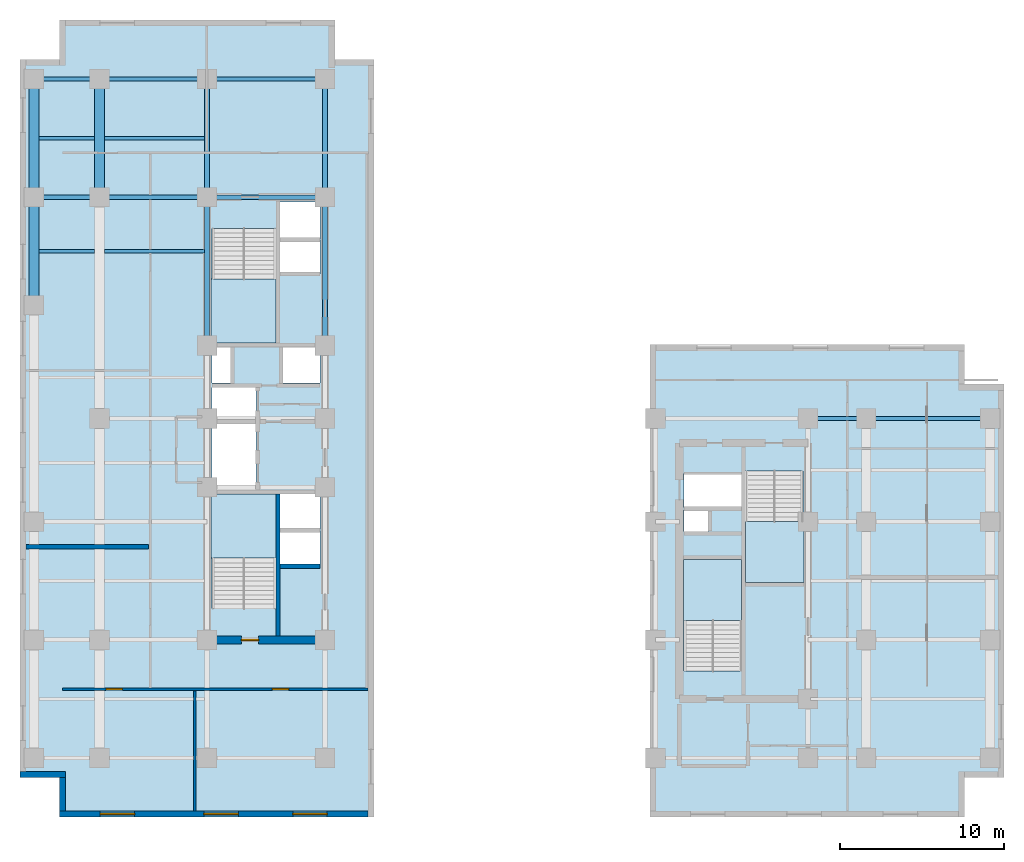
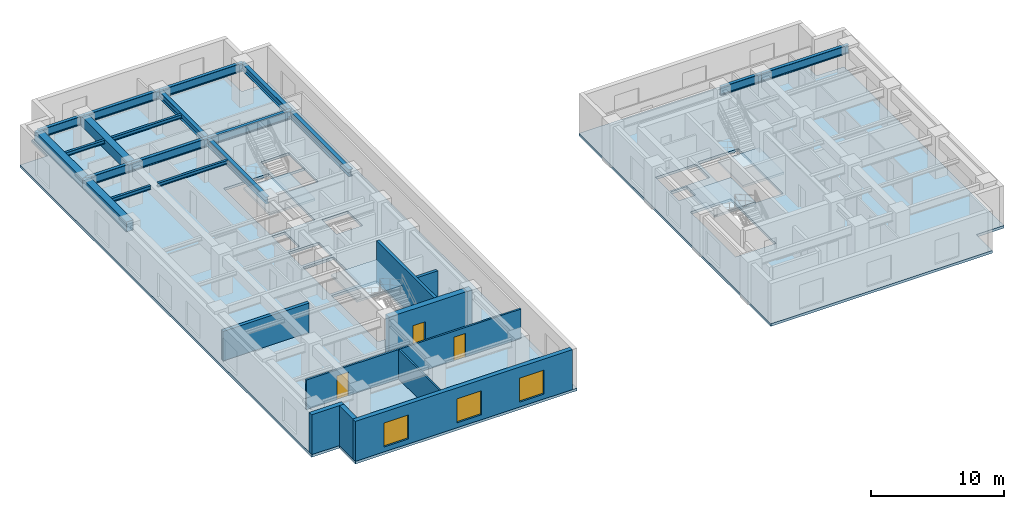
# One storey, part 2 of 8: 19 beams, 9 walls, 6 slabs, 3 doors, 3 windows, 6 openings, 4 elements without a shape of their own.
"""IFC4 building model written with IfcOpenShell, lengths in metres."""

from ifc_helpers import new_model, entity, si_unit, converted_unit, direction, frame, origin_with_axes, origin_2d_with_axis, place, context, subcontext, project, spatial, polyline, rectangle, i_section, outline, extrude, material, layer, layer_set, material_profile, profile_set, type_object, element, fill, aggregate, save


model = new_model("IFC4")

# Units and contexts
model_context = context("Model", 3, precision=1e-05, world=origin_with_axes(), true_north=direction((0.0, 1.0)))
body_context = subcontext(model_context, "Body", "Model", "MODEL_VIEW")
ifc_project = project(units=[si_unit("LENGTHUNIT", "METRE"), si_unit("AREAUNIT", "SQUARE_METRE"), si_unit("VOLUMEUNIT", "CUBIC_METRE"), converted_unit("PLANEANGLEUNIT", "DEGREE", entity("IfcPlaneAngleMeasure", 0.017453292519943295), si_unit("PLANEANGLEUNIT", "RADIAN"), dimensions=[0, 0, 0, 0, 0, 0, 0]), si_unit("MASSUNIT", "GRAM", prefix="KILO"), si_unit("THERMODYNAMICTEMPERATUREUNIT", "KELVIN")], contexts=[model_context])

# Site, building, storey
site_placement = place(None, origin_with_axes())
site = spatial("IfcSite", under=ifc_project, at=site_placement, CompositionType="ELEMENT")
building_placement = place(site_placement, origin_with_axes())
building = spatial("IfcBuilding", under=site, at=building_placement, Name="Varnlund Millrace Tower", CompositionType="ELEMENT")
storey_placement = place(building_placement, frame((0.0, 0.0, 89.1), z_axis=(0.0, 0.0, 1.0), x_axis=(1.0, 0.0, 0.0)))
storey = spatial("IfcBuildingStorey", under=building, at=storey_placement, Name="L21", CompositionType="ELEMENT", Elevation=89.1)

# Beams
ifc_material_1 = material(Name="Steel ASTM A992 Grade 50", Category="steel")
ifc_material_profile_1 = material_profile(ifc_material_1, i_section(OverallWidth=0.328, OverallDepth=0.628, WebThickness=0.0165, FlangeThickness=0.0277, FilletRadius=0.018, at=origin_2d_with_axis()), Name="Steel ASTM A992 Grade 50")
ifc_profile_set_1 = profile_set([ifc_material_profile_1], Name="Steel ASTM A992 Grade 50")
beam_type_1 = type_object("IfcBeamType", Name="Type-Girder-W24X146", PredefinedType="USERDEFINED", material=ifc_profile_set_1)
beam_1_placement = place(storey_placement, frame((11.4, 28.75, 3.346), z_axis=(0.0, 1.0, 0.0), x_axis=(-1.0, 0.0, 0.0)))
element("IfcBeam", 1, at=beam_1_placement, inside=storey, type_object=beam_type_1, Name="Type-Girder-W24X146", ObjectType="GIRDER", PredefinedType="USERDEFINED", context=body_context, shape_type="SweptSolid", body=[
    extrude(i_section(OverallWidth=0.328, OverallDepth=0.628, WebThickness=0.0165, FlangeThickness=0.0277, FilletRadius=0.018, at=origin_2d_with_axis()), origin_with_axes(), (0.0, 0.0, 1.0), 9.05),
])
beam_2_placement = place(storey_placement, frame((11.4, 37.8, 3.346), z_axis=(0.0, 1.0, 0.0), x_axis=(-1.0, 0.0, 0.0)))
element("IfcBeam", 2, at=beam_2_placement, inside=storey, type_object=beam_type_1, Name="Type-Girder-W24X146", ObjectType="GIRDER", PredefinedType="USERDEFINED", context=body_context, shape_type="SweptSolid", body=[
    extrude(i_section(OverallWidth=0.328, OverallDepth=0.628, WebThickness=0.0165, FlangeThickness=0.0277, FilletRadius=0.018, at=origin_2d_with_axis()), origin_with_axes(), (0.0, 0.0, 1.0), 7.2),
])
beam_3_placement = place(storey_placement, frame((18.6, 28.75, 3.346), z_axis=(0.0, 1.0, 0.0), x_axis=(-1.0, 0.0, 0.0)))
element("IfcBeam", 3, at=beam_3_placement, inside=storey, type_object=beam_type_1, Name="Type-Girder-W24X146", ObjectType="GIRDER", PredefinedType="USERDEFINED", context=body_context, shape_type="SweptSolid", body=[
    extrude(i_section(OverallWidth=0.328, OverallDepth=0.628, WebThickness=0.0165, FlangeThickness=0.0277, FilletRadius=0.018, at=origin_2d_with_axis()), origin_with_axes(), (0.0, 0.0, 1.0), 9.05),
])
beam_4_placement = place(storey_placement, frame((18.6, 37.8, 3.346), z_axis=(0.0, 1.0, 0.0), x_axis=(-1.0, 0.0, 0.0)))
element("IfcBeam", 4, at=beam_4_placement, inside=storey, type_object=beam_type_1, Name="Type-Girder-W24X146", ObjectType="GIRDER", PredefinedType="USERDEFINED", context=body_context, shape_type="SweptSolid", body=[
    extrude(i_section(OverallWidth=0.328, OverallDepth=0.628, WebThickness=0.0165, FlangeThickness=0.0277, FilletRadius=0.018, at=origin_2d_with_axis()), origin_with_axes(), (0.0, 0.0, 1.0), 7.2),
])
ifc_material_profile_2 = material_profile(ifc_material_1, i_section(OverallWidth=0.266, OverallDepth=0.779, WebThickness=0.0165, FlangeThickness=0.03, FilletRadius=0.02, at=origin_2d_with_axis()), Name="Steel ASTM A992 Grade 50")
ifc_profile_set_2 = profile_set([ifc_material_profile_2], Name="Steel ASTM A992 Grade 50")
beam_type_2 = type_object("IfcBeamType", Name="Type-Girder-W30X148", PredefinedType="USERDEFINED", material=ifc_profile_set_2)
beam_5_placement = place(storey_placement, frame((48.05, 24.3, 3.2705), z_axis=(1.0, 0.0, 0.0), x_axis=(0.0, 1.0, 0.0)))
element("IfcBeam", 5, at=beam_5_placement, inside=storey, type_object=beam_type_2, Name="Type-Girder-W30X148", ObjectType="GIRDER", PredefinedType="USERDEFINED", context=body_context, shape_type="SweptSolid", body=[
    extrude(i_section(OverallWidth=0.266, OverallDepth=0.779, WebThickness=0.0165, FlangeThickness=0.03, FilletRadius=0.02, at=origin_2d_with_axis()), origin_with_axes(), (0.0, 0.0, 1.0), 3.55),
])
beam_6_placement = place(storey_placement, frame((51.6, 24.3, 3.2705), z_axis=(1.0, 0.0, 0.0), x_axis=(0.0, 1.0, 0.0)))
element("IfcBeam", 6, at=beam_6_placement, inside=storey, type_object=beam_type_2, Name="Type-Girder-W30X148", ObjectType="GIRDER", PredefinedType="USERDEFINED", context=body_context, shape_type="SweptSolid", body=[
    extrude(i_section(OverallWidth=0.266, OverallDepth=0.779, WebThickness=0.0165, FlangeThickness=0.03, FilletRadius=0.02, at=origin_2d_with_axis()), origin_with_axes(), (0.0, 0.0, 1.0), 7.55),
])
beam_7_placement = place(storey_placement, frame((0.85, 37.8, 3.2705), z_axis=(1.0, 0.0, 0.0), x_axis=(0.0, 1.0, 0.0)))
element("IfcBeam", 7, at=beam_7_placement, inside=storey, type_object=beam_type_2, Name="Type-Girder-W30X148", ObjectType="GIRDER", PredefinedType="USERDEFINED", context=body_context, shape_type="SweptSolid", body=[
    extrude(i_section(OverallWidth=0.266, OverallDepth=0.779, WebThickness=0.0165, FlangeThickness=0.03, FilletRadius=0.02, at=origin_2d_with_axis()), origin_with_axes(), (0.0, 0.0, 1.0), 4.0),
])
beam_8_placement = place(storey_placement, frame((4.85, 37.8, 3.2705), z_axis=(1.0, 0.0, 0.0), x_axis=(0.0, 1.0, 0.0)))
element("IfcBeam", 8, at=beam_8_placement, inside=storey, type_object=beam_type_2, Name="Type-Girder-W30X148", ObjectType="GIRDER", PredefinedType="USERDEFINED", context=body_context, shape_type="SweptSolid", body=[
    extrude(i_section(OverallWidth=0.266, OverallDepth=0.779, WebThickness=0.0165, FlangeThickness=0.03, FilletRadius=0.02, at=origin_2d_with_axis()), origin_with_axes(), (0.0, 0.0, 1.0), 6.55),
])
beam_9_placement = place(storey_placement, frame((11.4, 37.8, 3.2705), z_axis=(1.0, 0.0, 0.0), x_axis=(0.0, 1.0, 0.0)))
element("IfcBeam", 9, at=beam_9_placement, inside=storey, type_object=beam_type_2, Name="Type-Girder-W30X148", ObjectType="GIRDER", PredefinedType="USERDEFINED", context=body_context, shape_type="SweptSolid", body=[
    extrude(i_section(OverallWidth=0.266, OverallDepth=0.779, WebThickness=0.0165, FlangeThickness=0.03, FilletRadius=0.02, at=origin_2d_with_axis()), origin_with_axes(), (0.0, 0.0, 1.0), 7.2),
])
beam_10_placement = place(storey_placement, frame((0.85, 45.0, 3.2705), z_axis=(1.0, 0.0, 0.0), x_axis=(0.0, 1.0, 0.0)))
element("IfcBeam", 10, at=beam_10_placement, inside=storey, type_object=beam_type_2, Name="Type-Girder-W30X148", ObjectType="GIRDER", PredefinedType="USERDEFINED", context=body_context, shape_type="SweptSolid", body=[
    extrude(i_section(OverallWidth=0.266, OverallDepth=0.779, WebThickness=0.0165, FlangeThickness=0.03, FilletRadius=0.02, at=origin_2d_with_axis()), origin_with_axes(), (0.0, 0.0, 1.0), 4.0),
])
beam_11_placement = place(storey_placement, frame((4.85, 45.0, 3.2705), z_axis=(1.0, 0.0, 0.0), x_axis=(0.0, 1.0, 0.0)))
element("IfcBeam", 11, at=beam_11_placement, inside=storey, type_object=beam_type_2, Name="Type-Girder-W30X148", ObjectType="GIRDER", PredefinedType="USERDEFINED", context=body_context, shape_type="SweptSolid", body=[
    extrude(i_section(OverallWidth=0.266, OverallDepth=0.779, WebThickness=0.0165, FlangeThickness=0.03, FilletRadius=0.02, at=origin_2d_with_axis()), origin_with_axes(), (0.0, 0.0, 1.0), 6.55),
])
beam_12_placement = place(storey_placement, frame((11.4, 45.0, 3.2705), z_axis=(1.0, 0.0, 0.0), x_axis=(0.0, 1.0, 0.0)))
element("IfcBeam", 12, at=beam_12_placement, inside=storey, type_object=beam_type_2, Name="Type-Girder-W30X148", ObjectType="GIRDER", PredefinedType="USERDEFINED", context=body_context, shape_type="SweptSolid", body=[
    extrude(i_section(OverallWidth=0.266, OverallDepth=0.779, WebThickness=0.0165, FlangeThickness=0.03, FilletRadius=0.02, at=origin_2d_with_axis()), origin_with_axes(), (0.0, 0.0, 1.0), 7.2),
])
ifc_material_profile_3 = material_profile(ifc_material_1, i_section(OverallWidth=0.204, OverallDepth=0.35, WebThickness=0.0086, FlangeThickness=0.0151, FilletRadius=0.013, at=origin_2d_with_axis()), Name="Steel ASTM A992 Grade 50")
ifc_profile_set_3 = profile_set([ifc_material_profile_3], Name="Steel ASTM A992 Grade 50")
beam_type_3 = type_object("IfcBeamType", Name="Type-Joist-W14X48", PredefinedType="JOIST", material=ifc_profile_set_3)
for number, where, z_axis, x_axis, name in (
    (13, (1.15, 34.5, 3.485), (1.0, 0.0, 0.0), (0.0, 1.0, 0.0), "Type-Joist-W14X48"),
    (14, (1.15, 41.4, 3.485), (1.0, 0.0, 0.0), (0.0, 1.0, 0.0), "Type-Joist-W14X48"),
):
    element("IfcBeam", number, at=place(storey_placement, frame(where, z_axis=z_axis, x_axis=x_axis)), inside=storey, type_object=beam_type_3, Name=name, PredefinedType="JOIST", context=body_context, shape_type="SweptSolid", body=[
        extrude(i_section(OverallWidth=0.204, OverallDepth=0.35, WebThickness=0.0086, FlangeThickness=0.0151, FilletRadius=0.013, at=origin_2d_with_axis()), origin_with_axes(), (0.0, 0.0, 1.0), 3.4),
    ])
for number, where, z_axis, x_axis, name in (
    (15, (5.15, 34.5, 3.485), (1.0, 0.0, 0.0), (0.0, 1.0, 0.0), "Type-Joist-W14X48"),
    (16, (5.15, 41.4, 3.485), (1.0, 0.0, 0.0), (0.0, 1.0, 0.0), "Type-Joist-W14X48"),
):
    element("IfcBeam", number, at=place(storey_placement, frame(where, z_axis=z_axis, x_axis=x_axis)), inside=storey, type_object=beam_type_3, Name=name, PredefinedType="JOIST", context=body_context, shape_type="SweptSolid", body=[
        extrude(i_section(OverallWidth=0.204, OverallDepth=0.35, WebThickness=0.0086, FlangeThickness=0.0151, FilletRadius=0.013, at=origin_2d_with_axis()), origin_with_axes(), (0.0, 0.0, 1.0), 6.086),
    ])
ifc_material_2 = material(Name="Concrete C70/85", Category="concrete")
ifc_material_profile_4 = material_profile(ifc_material_2, rectangle(XDim=0.6, YDim=0.9, at=origin_2d_with_axis()), Name="Concrete C70/85")
ifc_profile_set_4 = profile_set([ifc_material_profile_4], Name="Concrete C70/85")
beam_type_4 = type_object("IfcBeamType", Name="Type-Spandrel-RC600X900", PredefinedType="SPANDREL", material=ifc_profile_set_4)
beam_13_placement = place(storey_placement, frame((0.85, 31.2, 3.21), z_axis=(0.0, 1.0, 0.0), x_axis=(-1.0, 0.0, 0.0)))
element("IfcBeam", 17, at=beam_13_placement, inside=storey, type_object=beam_type_4, Name="Type-Spandrel-RC600X900", PredefinedType="SPANDREL", context=body_context, shape_type="SweptSolid", body=[
    extrude(rectangle(XDim=0.6, YDim=0.9, at=origin_2d_with_axis()), origin_with_axes(), (0.0, 0.0, 1.0), 6.6),
])
for number, where, z_axis, x_axis, name in (
    (18, (0.85, 37.8, 3.21), (0.0, 1.0, 0.0), (-1.0, 0.0, 0.0), "Type-Spandrel-RC600X900"),
    (19, (4.85, 37.8, 3.21), (0.0, 1.0, 0.0), (-1.0, 0.0, 0.0), "Type-Spandrel-RC600X900"),
):
    element("IfcBeam", number, at=place(storey_placement, frame(where, z_axis=z_axis, x_axis=x_axis)), inside=storey, type_object=beam_type_4, Name=name, PredefinedType="SPANDREL", context=body_context, shape_type="SweptSolid", body=[
        extrude(rectangle(XDim=0.6, YDim=0.9, at=origin_2d_with_axis()), origin_with_axes(), (0.0, 0.0, 1.0), 7.2),
    ])

# Slabs
ifc_material_3 = material(Name="Concrete C60/75", Category="concrete")
ifc_layer_1 = layer(ifc_material_3, 0.24, Name="Concrete C60/75")
ifc_layer_set_1 = layer_set([ifc_layer_1], Name="Concrete C60/75")
slab_type_1 = type_object("IfcSlabType", Name="Type-Deck-Plate-Typical-240", PredefinedType="FLOOR", material=ifc_layer_set_1)
slab_1_placement = place(storey_placement, frame((0.0, 0.0, -0.24), z_axis=(0.0, 0.0, 1.0), x_axis=(1.0, 0.0, 0.0)))
element("IfcSlab", 20, at=slab_1_placement, inside=storey, type_object=slab_type_1, Name="Type-Deck-Plate-Typical-240", PredefinedType="FLOOR", context=body_context, shape_type="SweptSolid", body=[
    extrude(outline(polyline([(2.4, 2.4), (2.4, 0.0), (21.6, 0.0), (21.6, 46.2), (19.2, 46.2), (19.2, 48.6), (2.4, 48.6), (2.4, 46.2), (0.0, 46.2), (0.0, 2.4), (2.4, 2.4)]), holes=[polyline([(15.6, 19.7), (15.6, 12.715), (11.7, 12.715), (11.7, 19.7), (15.6, 19.7)]), polyline([(11.7, 23.98), (14.38, 23.98), (14.38, 19.94), (11.7, 19.94), (11.7, 23.98)]), polyline([(14.38, 24.24), (11.7, 24.24), (11.7, 26.2), (14.38, 26.2), (14.38, 24.24)]), polyline([(12.84, 26.46), (11.7, 26.46), (11.7, 28.65), (12.84, 28.65), (12.84, 26.46)]), polyline([(15.6, 35.885), (15.6, 28.9), (11.7, 28.9), (11.7, 35.885), (15.6, 35.885)]), polyline([(18.3, 15.34), (15.84, 15.34), (15.84, 17.46), (18.3, 17.46), (18.3, 15.34)]), polyline([(18.3, 17.52), (15.84, 17.52), (15.84, 19.7), (18.3, 19.7), (18.3, 17.52)]), polyline([(18.3, 28.65), (18.3, 26.46), (16.04, 26.46), (16.04, 28.65), (18.3, 28.65)]), polyline([(18.3, 33.12), (15.84, 33.12), (15.84, 35.18), (18.3, 35.18), (18.3, 33.12)]), polyline([(18.3, 35.22), (15.84, 35.22), (15.84, 37.5), (18.3, 37.5), (18.3, 35.22)])]), origin_with_axes(), (0.0, 0.0, 1.0), 0.24),
])
slab_2_placement = place(storey_placement, frame((0.0, 0.0, -0.24), z_axis=(0.0, 0.0, 1.0), x_axis=(1.0, 0.0, 0.0)))
element("IfcSlab", 21, at=slab_2_placement, inside=storey, type_object=slab_type_1, Name="Type-Deck-Plate-Typical-240", PredefinedType="FLOOR", context=body_context, shape_type="SweptSolid", body=[
    extrude(outline(polyline([(38.4, 0.0), (57.6, 0.0), (57.6, 2.4), (60.0, 2.4), (60.0, 26.4), (57.6, 26.4), (57.6, 28.8), (38.4, 28.8), (38.4, 0.0)]), holes=[polyline([(40.5, 15.7), (44.0, 15.7), (44.0, 8.915), (40.5, 8.915), (40.5, 15.7)]), polyline([(44.25, 21.085), (47.75, 21.085), (47.75, 14.3), (44.25, 14.3), (44.25, 21.085)]), polyline([(40.5, 18.72), (41.95, 18.72), (41.95, 17.42), (40.5, 17.42), (40.5, 18.72)]), polyline([(40.5, 20.94), (44.0, 20.94), (44.0, 18.88), (40.5, 18.88), (40.5, 20.94)])]), origin_with_axes(), (0.0, 0.0, 1.0), 0.24),
])

# Stair, slab
ifc_material_4 = material(Name="Concrete C50/60", Category="concrete")
stair_type_1 = type_object("IfcStairType", Name="Type-Stair-Dogleg-185-390", PredefinedType="HALF_TURN_STAIR", material=ifc_material_4)
stair_1_placement = place(storey_placement, origin_with_axes())
stair_1 = element("IfcStair", 22, at=stair_1_placement, inside=storey, type_object=stair_type_1, Name="Type-Stair-Dogleg-185-390", PredefinedType="HALF_TURN_STAIR")
ifc_layer_2 = layer(ifc_material_4, 0.2, Name="Concrete C50/60")
ifc_layer_set_2 = layer_set([ifc_layer_2], Name="Concrete C50/60")
slab_type_2 = type_object("IfcSlabType", Name="Type-StairLanding-200", PredefinedType="LANDING", material=ifc_layer_set_2)
slab_3_placement = place(storey_placement, frame((0.0, 0.0, 1.75), z_axis=(0.0, 0.0, 1.0), x_axis=(1.0, 0.0, 0.0)))
slab_3 = element("IfcSlab", 23, at=slab_3_placement, type_object=slab_type_2, Name="ST-A1 landing 1", PredefinedType="LANDING", context=body_context, shape_type="SweptSolid", body=[
    extrude(outline(polyline([(15.6, 15.78), (15.6, 19.7), (11.65, 19.7), (11.65, 15.78), (15.6, 15.78)])), origin_with_axes(), (0.0, 0.0, 1.0), 0.2),
])
aggregate(stair_1, [slab_3])

stair_2_placement = place(storey_placement, origin_with_axes())
stair_2 = element("IfcStair", 24, at=stair_2_placement, inside=storey, type_object=stair_type_1, Name="Type-Stair-Dogleg-185-390", PredefinedType="HALF_TURN_STAIR")
slab_4_placement = place(storey_placement, frame((0.0, 0.0, 1.75), z_axis=(0.0, 0.0, 1.0), x_axis=(1.0, 0.0, 0.0)))
slab_4 = element("IfcSlab", 25, at=slab_4_placement, type_object=slab_type_2, Name="ST-A2 landing 1", PredefinedType="LANDING", context=body_context, shape_type="SweptSolid", body=[
    extrude(outline(polyline([(11.65, 32.82), (11.65, 28.9), (15.6, 28.9), (15.6, 32.82), (11.65, 32.82)])), origin_with_axes(), (0.0, 0.0, 1.0), 0.2),
])
aggregate(stair_2, [slab_4])

stair_type_2 = type_object("IfcStairType", Name="Type-Stair-Dogleg-165-390", PredefinedType="HALF_TURN_STAIR", material=ifc_material_4)
stair_3_placement = place(storey_placement, origin_with_axes())
stair_3 = element("IfcStair", 26, at=stair_3_placement, inside=storey, type_object=stair_type_2, Name="Type-Stair-Dogleg-165-390", PredefinedType="HALF_TURN_STAIR")
slab_5_placement = place(storey_placement, frame((0.0, 0.0, 1.75), z_axis=(0.0, 0.0, 1.0), x_axis=(1.0, 0.0, 0.0)))
slab_5 = element("IfcSlab", 27, at=slab_5_placement, type_object=slab_type_2, Name="ST-B1 landing 1", PredefinedType="LANDING", context=body_context, shape_type="SweptSolid", body=[
    extrude(outline(polyline([(44.0, 11.98), (44.0, 15.7), (40.45, 15.7), (40.45, 11.98), (44.0, 11.98)])), origin_with_axes(), (0.0, 0.0, 1.0), 0.2),
])
aggregate(stair_3, [slab_5])

stair_4_placement = place(storey_placement, origin_with_axes())
stair_4 = element("IfcStair", 28, at=stair_4_placement, inside=storey, type_object=stair_type_2, Name="Type-Stair-Dogleg-165-390", PredefinedType="HALF_TURN_STAIR")
slab_6_placement = place(storey_placement, frame((0.0, 0.0, 1.75), z_axis=(0.0, 0.0, 1.0), x_axis=(1.0, 0.0, 0.0)))
slab_6 = element("IfcSlab", 29, at=slab_6_placement, type_object=slab_type_2, Name="ST-B2 landing 1", PredefinedType="LANDING", context=body_context, shape_type="SweptSolid", body=[
    extrude(outline(polyline([(44.25, 18.02), (44.25, 14.3), (47.8, 14.3), (47.8, 18.02), (44.25, 18.02)])), origin_with_axes(), (0.0, 0.0, 1.0), 0.2),
])
aggregate(stair_4, [slab_6])

# Wall, opening, door
ifc_layer_3 = layer(ifc_material_2, 0.5, Name="Concrete C70/85")
ifc_layer_set_3 = layer_set([ifc_layer_3], Name="Concrete C70/85")
wall_type_1 = type_object("IfcWallType", Name="Type-CoreWall-Shear-500-C70", PredefinedType="SHEAR", material=ifc_layer_set_3)
wall_1_placement = place(storey_placement, frame((11.4, 10.8, 0.0), z_axis=(0.0, 0.0, 1.0), x_axis=(1.0, 0.0, 0.0)))
wall_1 = element("IfcWall", 30, at=wall_1_placement, inside=storey, type_object=wall_type_1, Name="Type-CoreWall-Shear-500-C70", PredefinedType="SHEAR", context=body_context, shape_type="SweptSolid", body=[
    extrude(outline(polyline([(0.0, -0.25), (7.2, -0.25), (7.2, 0.25), (0.0, 0.25), (0.0, -0.25)])), origin_with_axes(), (0.0, 0.0, 1.0), 3.66),
])
opening_1_placement = place(wall_1_placement, frame((2.625, 0.0, 0.0), z_axis=(0.0, 0.0, 1.0), x_axis=(1.0, 0.0, 0.0)))
opening_1 = element("IfcOpeningElement", 31, at=opening_1_placement, cuts=wall_1, Name="Opening L21:DR-STA1", PredefinedType="OPENING", context=body_context, shape_type="SweptSolid", body=[
    extrude(rectangle(XDim=1.05, YDim=0.52, at=origin_2d_with_axis()), origin_with_axes(), (0.0, 0.0, 1.0), 2.15),
])
ifc_material_5 = material(Name="Fire-rated hollow steel door", Category="steel")
door_type_1 = type_object("IfcDoorType", Name="Type-FireDoor-Stair-1050X2150", OperationType="NOTDEFINED", PredefinedType="DOOR", material=ifc_material_5)
door_1_placement = place(wall_1_placement, frame((2.625, 0.0, 0.0), z_axis=(0.0, 0.0, 1.0), x_axis=(1.0, 0.0, 0.0)))
door_1 = element("IfcDoor", 32, at=door_1_placement, inside=storey, type_object=door_type_1, Name="Type-FireDoor-Stair-1050X2150", OperationType="SINGLE_SWING_LEFT", OverallHeight=2.15, OverallWidth=1.05, PredefinedType="DOOR", context=body_context, shape_type="SweptSolid", body=[
    extrude(rectangle(XDim=1.05, YDim=0.09, at=origin_2d_with_axis()), origin_with_axes(), (0.0, 0.0, 1.0), 2.15),
])
fill(opening_1, door_1)

# Wall, openings, windows
ifc_material_6 = material(Name="Precast concrete C50/60", Category="concrete")
ifc_layer_4 = layer(ifc_material_6, 0.38, Name="Precast concrete C50/60")
ifc_layer_set_4 = layer_set([ifc_layer_4], Name="Precast concrete C50/60")
wall_type_2 = type_object("IfcWallType", Name="Type-ExtWall-Precast-Tube-380", PredefinedType="SOLIDWALL", material=ifc_layer_set_4)
wall_2_placement = place(storey_placement, frame((21.22, 0.19, 0.0), z_axis=(0.0, 0.0, 1.0), x_axis=(-1.0, 0.0, 0.0)))
wall_2 = element("IfcWall", 33, at=wall_2_placement, inside=storey, type_object=wall_type_2, Name="Type-ExtWall-Precast-Tube-380", PredefinedType="SOLIDWALL", context=body_context, shape_type="SweptSolid", body=[
    extrude(outline(polyline([(0.0, -0.19), (18.82, -0.19), (18.82, 0.19), (0.0, 0.19), (0.0, -0.19)])), origin_with_axes(), (0.0, 0.0, 1.0), 3.66),
])
opening_2_placement = place(wall_2_placement, frame((3.537, 0.0, 0.45), z_axis=(0.0, 0.0, 1.0), x_axis=(1.0, 0.0, 0.0)))
opening_2 = element("IfcOpeningElement", 34, at=opening_2_placement, cuts=wall_2, Name="Opening L21:WN-12", PredefinedType="OPENING", context=body_context, shape_type="SweptSolid", body=[
    extrude(rectangle(XDim=2.1, YDim=0.4, at=origin_2d_with_axis()), origin_with_axes(), (0.0, 0.0, 1.0), 2.2),
])
opening_3_placement = place(wall_2_placement, frame((8.96, 0.0, 0.45), z_axis=(0.0, 0.0, 1.0), x_axis=(1.0, 0.0, 0.0)))
opening_3 = element("IfcOpeningElement", 35, at=opening_3_placement, cuts=wall_2, Name="Opening L21:WN-13", PredefinedType="OPENING", context=body_context, shape_type="SweptSolid", body=[
    extrude(rectangle(XDim=2.1, YDim=0.4, at=origin_2d_with_axis()), origin_with_axes(), (0.0, 0.0, 1.0), 2.2),
])
opening_4_placement = place(wall_2_placement, frame((15.283, 0.0, 0.45), z_axis=(0.0, 0.0, 1.0), x_axis=(1.0, 0.0, 0.0)))
opening_4 = element("IfcOpeningElement", 36, at=opening_4_placement, cuts=wall_2, Name="Opening L21:WN-14", PredefinedType="OPENING", context=body_context, shape_type="SweptSolid", body=[
    extrude(rectangle(XDim=2.1, YDim=0.4, at=origin_2d_with_axis()), origin_with_axes(), (0.0, 0.0, 1.0), 2.2),
])
ifc_material_7 = material(Name="Argon low-e triple glazing in thermally broken bronze frame", Category="glass")
window_type = type_object("IfcWindowType", Name="Type-Window-Punched-2100X2200", PartitioningType="SINGLE_PANEL", PredefinedType="WINDOW", material=ifc_material_7)
window_1_placement = place(wall_2_placement, frame((3.537, 0.0, 0.45), z_axis=(0.0, 0.0, 1.0), x_axis=(1.0, 0.0, 0.0)))
window_1 = element("IfcWindow", 37, at=window_1_placement, inside=storey, type_object=window_type, Name="Type-Window-Punched-2100X2200", OverallHeight=2.2, OverallWidth=2.1, PredefinedType="WINDOW", context=body_context, shape_type="SweptSolid", body=[
    extrude(rectangle(XDim=2.1, YDim=0.09, at=origin_2d_with_axis()), origin_with_axes(), (0.0, 0.0, 1.0), 2.2),
])
fill(opening_2, window_1)
window_2_placement = place(wall_2_placement, frame((8.96, 0.0, 0.45), z_axis=(0.0, 0.0, 1.0), x_axis=(1.0, 0.0, 0.0)))
window_2 = element("IfcWindow", 38, at=window_2_placement, inside=storey, type_object=window_type, Name="Type-Window-Punched-2100X2200", OverallHeight=2.2, OverallWidth=2.1, PredefinedType="WINDOW", context=body_context, shape_type="SweptSolid", body=[
    extrude(rectangle(XDim=2.1, YDim=0.09, at=origin_2d_with_axis()), origin_with_axes(), (0.0, 0.0, 1.0), 2.2),
])
fill(opening_3, window_2)
window_3_placement = place(wall_2_placement, frame((15.283, 0.0, 0.45), z_axis=(0.0, 0.0, 1.0), x_axis=(1.0, 0.0, 0.0)))
window_3 = element("IfcWindow", 39, at=window_3_placement, inside=storey, type_object=window_type, Name="Type-Window-Punched-2100X2200", OverallHeight=2.2, OverallWidth=2.1, PredefinedType="WINDOW", context=body_context, shape_type="SweptSolid", body=[
    extrude(rectangle(XDim=2.1, YDim=0.09, at=origin_2d_with_axis()), origin_with_axes(), (0.0, 0.0, 1.0), 2.2),
])
fill(opening_4, window_3)

# Walls
wall_3_placement = place(storey_placement, frame((2.59, 0.38, 0.0), z_axis=(0.0, 0.0, 1.0), x_axis=(0.0, 1.0, 0.0)))
element("IfcWall", 40, at=wall_3_placement, inside=storey, type_object=wall_type_2, Name="Type-ExtWall-Precast-Tube-380", PredefinedType="SOLIDWALL", context=body_context, shape_type="SweptSolid", body=[
    extrude(outline(polyline([(0.0, -0.19), (2.02, -0.19), (2.02, 0.19), (0.0, 0.19), (0.0, -0.19)])), origin_with_axes(), (0.0, 0.0, 1.0), 3.66),
])
wall_4_placement = place(storey_placement, frame((2.78, 2.59, 0.0), z_axis=(0.0, 0.0, 1.0), x_axis=(-1.0, 0.0, 0.0)))
element("IfcWall", 41, at=wall_4_placement, inside=storey, type_object=wall_type_2, Name="Type-ExtWall-Precast-Tube-380", PredefinedType="SOLIDWALL", context=body_context, shape_type="SweptSolid", body=[
    extrude(outline(polyline([(0.0, -0.19), (2.78, -0.19), (2.78, 0.19), (0.0, 0.19), (0.0, -0.19)])), origin_with_axes(), (0.0, 0.0, 1.0), 3.66),
])
ifc_material_8 = material(Name="Double-stud STC-60 conference acoustic partition", Category="gypsum")
ifc_layer_5 = layer(ifc_material_8, 0.28, Name="Double-stud STC-60 conference acoustic partition")
ifc_layer_set_5 = layer_set([ifc_layer_5], Name="Double-stud STC-60 conference acoustic partition")
wall_type_3 = type_object("IfcWallType", Name="Type-Partition-Acoustic-280", PredefinedType="PARTITIONING", material=ifc_layer_set_5)
wall_5_placement = place(storey_placement, frame((0.375, 16.492, 0.0), z_axis=(0.0, 0.0, 1.0), x_axis=(1.0, 0.0, 0.0)))
element("IfcWall", 42, at=wall_5_placement, inside=storey, type_object=wall_type_3, Name="Type-Partition-Acoustic-280", PredefinedType="PARTITIONING", context=body_context, shape_type="SweptSolid", body=[
    extrude(outline(polyline([(0.0, -0.14), (7.455, -0.14), (7.455, 0.14), (0.0, 0.14), (0.0, -0.14)])), origin_with_axes(), (0.0, 0.0, 1.0), 2.7),
])

# Wall, openings, doors
ifc_material_9 = material(Name="Fire-rated gypsum board on cold-formed steel framing", Category="steel")
ifc_layer_6 = layer(ifc_material_9, 0.16, Name="Fire-rated gypsum board on cold-formed steel framing")
ifc_layer_set_6 = layer_set([ifc_layer_6], Name="Fire-rated gypsum board on cold-formed steel framing")
wall_type_4 = type_object("IfcWallType", Name="Type-Partition-Corridor-160", PredefinedType="PARTITIONING", material=ifc_layer_set_6)
wall_6_placement = place(storey_placement, frame((2.6, 7.8, 0.0), z_axis=(0.0, 0.0, 1.0), x_axis=(1.0, 0.0, 0.0)))
wall_6 = element("IfcWall", 43, at=wall_6_placement, inside=storey, type_object=wall_type_4, Name="Type-Partition-Corridor-160", PredefinedType="PARTITIONING", context=body_context, shape_type="SweptSolid", body=[
    extrude(outline(polyline([(0.0, -0.08), (18.625, -0.08), (18.625, 0.08), (0.0, 0.08), (0.0, -0.08)])), origin_with_axes(), (0.0, 0.0, 1.0), 2.7),
])
opening_5_placement = place(wall_6_placement, frame((3.147, 0.0, 0.0), z_axis=(0.0, 0.0, 1.0), x_axis=(1.0, 0.0, 0.0)))
opening_5 = element("IfcOpeningElement", 44, at=opening_5_placement, cuts=wall_6, Name="Opening L21:DR-WAS-01", PredefinedType="OPENING", context=body_context, shape_type="SweptSolid", body=[
    extrude(rectangle(XDim=1.0, YDim=0.18, at=origin_2d_with_axis()), origin_with_axes(), (0.0, 0.0, 1.0), 2.15),
])
opening_6_placement = place(wall_6_placement, frame((13.282, 0.0, 0.0), z_axis=(0.0, 0.0, 1.0), x_axis=(1.0, 0.0, 0.0)))
opening_6 = element("IfcOpeningElement", 45, at=opening_6_placement, cuts=wall_6, Name="Opening L21:DR-WAS-02", PredefinedType="OPENING", context=body_context, shape_type="SweptSolid", body=[
    extrude(rectangle(XDim=1.0, YDim=0.18, at=origin_2d_with_axis()), origin_with_axes(), (0.0, 0.0, 1.0), 2.15),
])
ifc_material_10 = material(Name="Solid-core white oak and bronze frame door")
door_type_2 = type_object("IfcDoorType", Name="Type-IntDoor-Office-1000X2150", OperationType="NOTDEFINED", PredefinedType="DOOR", material=ifc_material_10)
door_2_placement = place(wall_6_placement, frame((3.147, 0.0, 0.0), z_axis=(0.0, 0.0, 1.0), x_axis=(1.0, 0.0, 0.0)))
door_2 = element("IfcDoor", 46, at=door_2_placement, inside=storey, type_object=door_type_2, Name="Type-IntDoor-Office-1000X2150", OperationType="SINGLE_SWING_LEFT", OverallHeight=2.15, OverallWidth=1.0, PredefinedType="DOOR", context=body_context, shape_type="SweptSolid", body=[
    extrude(rectangle(XDim=1.0, YDim=0.09, at=origin_2d_with_axis()), origin_with_axes(), (0.0, 0.0, 1.0), 2.15),
])
fill(opening_5, door_2)
door_3_placement = place(wall_6_placement, frame((13.282, 0.0, 0.0), z_axis=(0.0, 0.0, 1.0), x_axis=(1.0, 0.0, 0.0)))
door_3 = element("IfcDoor", 47, at=door_3_placement, inside=storey, type_object=door_type_2, Name="Type-IntDoor-Office-1000X2150", OperationType="SINGLE_SWING_RIGHT", OverallHeight=2.15, OverallWidth=1.0, PredefinedType="DOOR", context=body_context, shape_type="SweptSolid", body=[
    extrude(rectangle(XDim=1.0, YDim=0.09, at=origin_2d_with_axis()), origin_with_axes(), (0.0, 0.0, 1.0), 2.15),
])
fill(opening_6, door_3)

# Walls
ifc_material_11 = material(Name="Acoustic STC-50 gypsum board partition", Category="gypsum")
ifc_layer_7 = layer(ifc_material_11, 0.15, Name="Acoustic STC-50 gypsum board partition")
ifc_layer_set_7 = layer_set([ifc_layer_7], Name="Acoustic STC-50 gypsum board partition")
wall_type_5 = type_object("IfcWallType", Name="Type-Partition-Demising-150", PredefinedType="PARTITIONING", material=ifc_layer_set_7)
wall_7_placement = place(storey_placement, frame((10.664, 0.36, 0.0), z_axis=(0.0, 0.0, 1.0), x_axis=(0.0, 1.0, 0.0)))
element("IfcWall", 48, at=wall_7_placement, inside=storey, type_object=wall_type_5, Name="Type-Partition-Demising-150", PredefinedType="PARTITIONING", context=body_context, shape_type="SweptSolid", body=[
    extrude(outline(polyline([(0.0, -0.075), (7.34, -0.075), (7.34, 0.075), (0.0, 0.075), (0.0, -0.075)])), origin_with_axes(), (0.0, 0.0, 1.0), 2.7),
])
ifc_layer_8 = layer(ifc_material_3, 0.25, Name="Concrete C60/75")
ifc_layer_set_8 = layer_set([ifc_layer_8], Name="Concrete C60/75")
wall_type_6 = type_object("IfcWallType", Name="Type-ShaftWall-Fire-250", PredefinedType="SOLIDWALL", material=ifc_layer_set_8)
wall_8_placement = place(storey_placement, frame((15.84, 15.29, 0.0), z_axis=(0.0, 0.0, 1.0), x_axis=(1.0, 0.0, 0.0)))
element("IfcWall", 49, at=wall_8_placement, inside=storey, type_object=wall_type_6, Name="Type-ShaftWall-Fire-250", PredefinedType="SOLIDWALL", context=body_context, shape_type="SweptSolid", body=[
    extrude(outline(polyline([(0.0, -0.125), (2.46, -0.125), (2.46, 0.125), (0.0, 0.125), (0.0, -0.125)])), origin_with_axes(), (0.0, 0.0, 1.0), 2.7),
])
wall_type_7 = type_object("IfcWallType", Name="Type-StairWall-Shear-250", PredefinedType="SHEAR", material=ifc_layer_set_8)
wall_9_placement = place(storey_placement, frame((15.725, 11.05, 0.0), z_axis=(0.0, 0.0, 1.0), x_axis=(0.0, 1.0, 0.0)))
element("IfcWall", 50, at=wall_9_placement, inside=storey, type_object=wall_type_7, Name="Type-StairWall-Shear-250", PredefinedType="SHEAR", context=body_context, shape_type="SweptSolid", body=[
    extrude(outline(polyline([(0.0, -0.125), (8.65, -0.125), (8.65, 0.125), (0.0, 0.125), (0.0, -0.125)])), origin_with_axes(), (0.0, 0.0, 1.0), 3.66),
])

save(model, "model.ifc")
